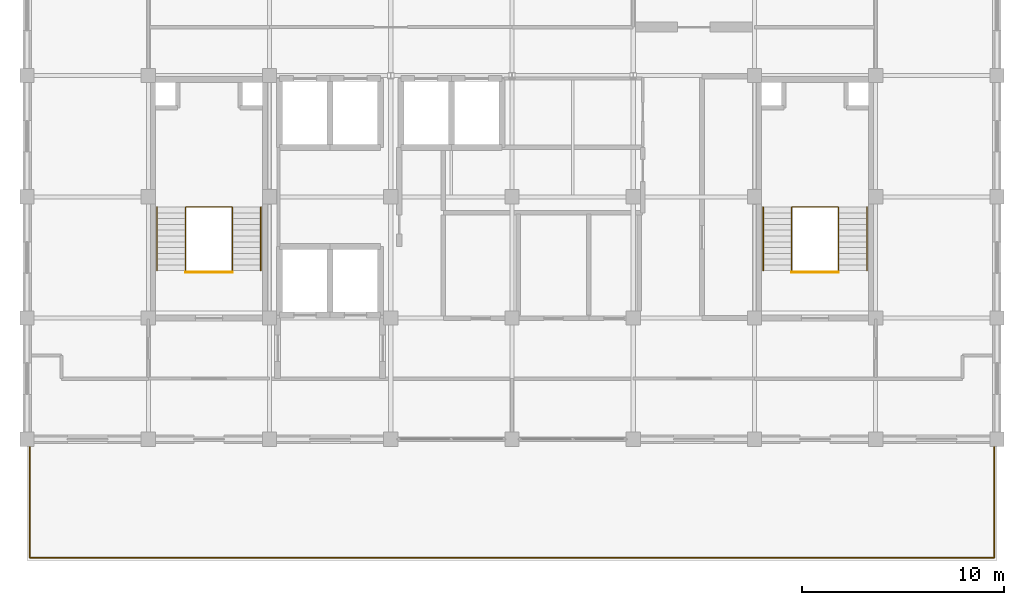
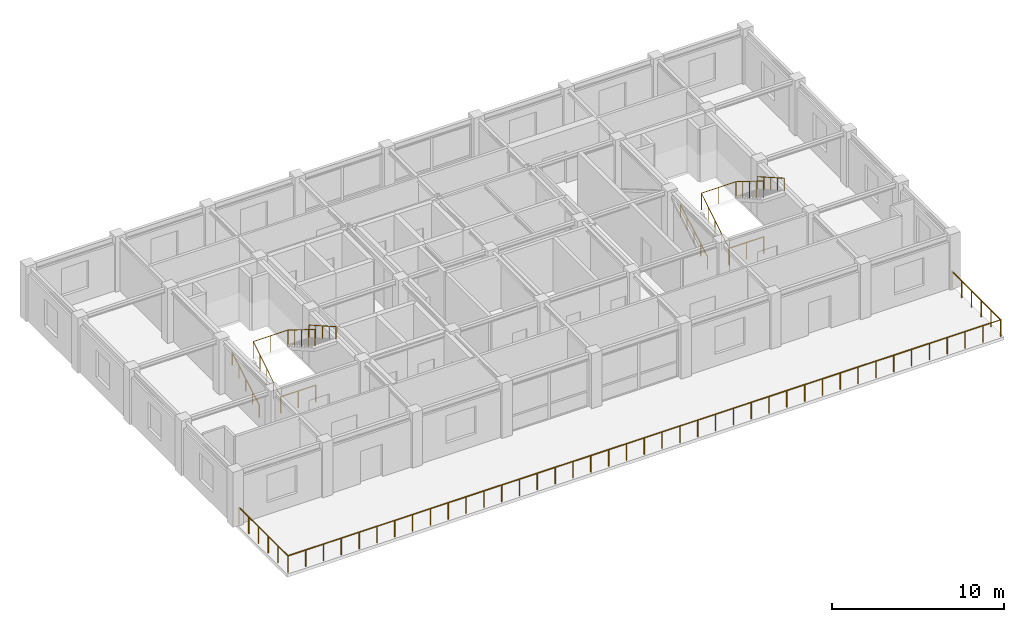
# One storey, part 11 of 11: 9 railings.
"""IFC4 building model written with IfcOpenShell, lengths in metres."""

from ifc_helpers import new_model, si_unit, direction, frame, origin, origin_2d, place, context, subcontext, project, spatial, circle, extrude, material, type_object, element, save


model = new_model("IFC4")

# Units and contexts
model_context = context("Model", 3, precision=1e-05, world=origin(), true_north=direction((0.0, 1.0)))
body_context = subcontext(model_context, "Body", "Model", "MODEL_VIEW")
ifc_project = project(units=[si_unit("LENGTHUNIT", "METRE"), si_unit("AREAUNIT", "SQUARE_METRE"), si_unit("VOLUMEUNIT", "CUBIC_METRE"), si_unit("PLANEANGLEUNIT", "RADIAN"), si_unit("MASSUNIT", "GRAM", prefix="KILO")], contexts=[model_context])

# Site, building, storey
site_placement = place(None, origin())
site = spatial("IfcSite", under=ifc_project, at=site_placement, CompositionType="ELEMENT")
building_placement = place(site_placement, origin())
building = spatial("IfcBuilding", under=site, at=building_placement, Name="Zlatovratsky Civic Hall", CompositionType="ELEMENT")
storey_placement = place(building_placement, frame((0.0, 0.0, 52.199951171875)))
storey = spatial("IfcBuildingStorey", under=building, at=storey_placement, Name="L13", CompositionType="ELEMENT", Elevation=52.199951171875)

# Railings
ifc_material_1 = material(Name="Brushed stainless steel AISI 304", Category="steel")
railing_type_1 = type_object("IfcRailingType", Name="Railing_Guardrail_1200", PredefinedType="GUARDRAIL", material=ifc_material_1)
railing_1_placement = place(storey_placement, frame((67.840087890625, 86.35009765625, 0.0)))
element("IfcRailing", 1, at=railing_1_placement, inside=storey, type_object=railing_type_1, Name="RL-0552", PredefinedType="GUARDRAIL", context=body_context, shape_type="SweptSolid", body=[
    extrude(circle(Radius=0.02392578125, at=origin_2d()), frame((0.0, 0.0, 1.17578125), z_axis=(0.0, 0.849144259976, 0.528160984692), x_axis=(-1.0, 0.0, 0.0)), (0.0, 0.0, 1.0), 3.69189453125),
    extrude(circle(Radius=0.02392578125, at=origin_2d()), frame((0.0, 3.135009765625, 3.1259765625), z_axis=(1.0, 0.0, 0.0), x_axis=(0.0, 1.0, 0.0)), (0.0, 0.0, 1.0), 2.31982421875),
    extrude(circle(Radius=0.02392578125, at=origin_2d()), frame((2.31982421875, 3.135009765625, 3.1259765625), z_axis=(0.0, -0.849114602454, 0.528208663219), x_axis=(1.0, 0.0, 0.0)), (0.0, 0.0, 1.0), 3.692138671875),
    extrude(circle(Radius=0.02099609375, at=origin_2d()), origin(), (0.0, 0.0, 1.0), 1.15185546875),
    extrude(circle(Radius=0.02099609375, at=origin_2d()), frame((0.0, 0.78369140625, 0.487548828125)), (0.0, 0.0, 1.0), 1.15185546875),
    extrude(circle(Radius=0.02099609375, at=origin_2d()), frame((0.0, 1.5673828125, 0.97509765625)), (0.0, 0.0, 1.0), 1.15185546875),
    extrude(circle(Radius=0.02099609375, at=origin_2d()), frame((0.0, 2.351318359375, 1.46240234375)), (0.0, 0.0, 1.0), 1.15185546875),
    extrude(circle(Radius=0.02099609375, at=origin_2d()), frame((0.0, 3.135009765625, 1.949951171875)), (0.0, 0.0, 1.0), 1.15185546875),
    extrude(circle(Radius=0.02099609375, at=origin_2d()), frame((1.159912109375, 3.135009765625, 1.949951171875)), (0.0, 0.0, 1.0), 1.15185546875),
    extrude(circle(Radius=0.02099609375, at=origin_2d()), frame((2.31982421875, 3.135009765625, 1.949951171875)), (0.0, 0.0, 1.0), 1.15185546875),
    extrude(circle(Radius=0.02099609375, at=origin_2d()), frame((2.31982421875, 2.351318359375, 2.4375)), (0.0, 0.0, 1.0), 1.15185546875),
    extrude(circle(Radius=0.02099609375, at=origin_2d()), frame((2.31982421875, 1.5673828125, 2.925048828125)), (0.0, 0.0, 1.0), 1.15185546875),
    extrude(circle(Radius=0.02099609375, at=origin_2d()), frame((2.31982421875, 0.78369140625, 3.41259765625)), (0.0, 0.0, 1.0), 1.15185546875),
    extrude(circle(Radius=0.02099609375, at=origin_2d()), frame((2.31982421875, 0.0, 3.900146484375)), (0.0, 0.0, 1.0), 1.15185546875),
])
railing_2_placement = place(storey_placement, frame((67.840087890625, 86.27001953125, 0.0)))
element("IfcRailing", 2, at=railing_2_placement, inside=storey, type_object=railing_type_1, Name="RL-0555", PredefinedType="GUARDRAIL", context=body_context, shape_type="SweptSolid", body=[
    extrude(circle(Radius=0.02392578125, at=origin_2d()), frame((0.0, 0.0, 1.17578125), z_axis=(1.0, 0.0, 0.0), x_axis=(0.0, 1.0, 0.0)), (0.0, 0.0, 1.0), 2.31982421875),
    extrude(circle(Radius=0.02099609375, at=origin_2d()), origin(), (0.0, 0.0, 1.0), 1.15185546875),
    extrude(circle(Radius=0.02099609375, at=origin_2d()), frame((1.159912109375, 0.0, 0.0)), (0.0, 0.0, 1.0), 1.15185546875),
    extrude(circle(Radius=0.02099609375, at=origin_2d()), frame((2.31982421875, 0.0, 0.0)), (0.0, 0.0, 1.0), 1.15185546875),
])
railing_3_placement = place(storey_placement, frame((97.840087890625, 86.35009765625, 0.0)))
element("IfcRailing", 3, at=railing_3_placement, inside=storey, type_object=railing_type_1, Name="RL-0628", PredefinedType="GUARDRAIL", context=body_context, shape_type="SweptSolid", body=[
    extrude(circle(Radius=0.02392578125, at=origin_2d()), frame((0.0, 0.0, 1.17578125), z_axis=(0.0, 0.849144259976, 0.528160984692), x_axis=(-1.0, 0.0, 0.0)), (0.0, 0.0, 1.0), 3.69189453125),
    extrude(circle(Radius=0.02392578125, at=origin_2d()), frame((0.0, 3.135009765625, 3.1259765625), z_axis=(1.0, 0.0, 0.0), x_axis=(0.0, 1.0, 0.0)), (0.0, 0.0, 1.0), 2.31982421875),
    extrude(circle(Radius=0.02392578125, at=origin_2d()), frame((2.31982421875, 3.135009765625, 3.1259765625), z_axis=(0.0, -0.849114602454, 0.528208663219), x_axis=(1.0, 0.0, 0.0)), (0.0, 0.0, 1.0), 3.692138671875),
    extrude(circle(Radius=0.02099609375, at=origin_2d()), origin(), (0.0, 0.0, 1.0), 1.15185546875),
    extrude(circle(Radius=0.02099609375, at=origin_2d()), frame((0.0, 0.78369140625, 0.487548828125)), (0.0, 0.0, 1.0), 1.15185546875),
    extrude(circle(Radius=0.02099609375, at=origin_2d()), frame((0.0, 1.5673828125, 0.97509765625)), (0.0, 0.0, 1.0), 1.15185546875),
    extrude(circle(Radius=0.02099609375, at=origin_2d()), frame((0.0, 2.351318359375, 1.46240234375)), (0.0, 0.0, 1.0), 1.15185546875),
    extrude(circle(Radius=0.02099609375, at=origin_2d()), frame((0.0, 3.135009765625, 1.949951171875)), (0.0, 0.0, 1.0), 1.15185546875),
    extrude(circle(Radius=0.02099609375, at=origin_2d()), frame((1.159912109375, 3.135009765625, 1.949951171875)), (0.0, 0.0, 1.0), 1.15185546875),
    extrude(circle(Radius=0.02099609375, at=origin_2d()), frame((2.31982421875, 3.135009765625, 1.949951171875)), (0.0, 0.0, 1.0), 1.15185546875),
    extrude(circle(Radius=0.02099609375, at=origin_2d()), frame((2.31982421875, 2.351318359375, 2.4375)), (0.0, 0.0, 1.0), 1.15185546875),
    extrude(circle(Radius=0.02099609375, at=origin_2d()), frame((2.31982421875, 1.5673828125, 2.925048828125)), (0.0, 0.0, 1.0), 1.15185546875),
    extrude(circle(Radius=0.02099609375, at=origin_2d()), frame((2.31982421875, 0.78369140625, 3.41259765625)), (0.0, 0.0, 1.0), 1.15185546875),
    extrude(circle(Radius=0.02099609375, at=origin_2d()), frame((2.31982421875, 0.0, 3.900146484375)), (0.0, 0.0, 1.0), 1.15185546875),
])
railing_4_placement = place(storey_placement, frame((97.840087890625, 86.27001953125, 0.0)))
element("IfcRailing", 4, at=railing_4_placement, inside=storey, type_object=railing_type_1, Name="RL-0631", PredefinedType="GUARDRAIL", context=body_context, shape_type="SweptSolid", body=[
    extrude(circle(Radius=0.02392578125, at=origin_2d()), frame((0.0, 0.0, 1.17578125), z_axis=(1.0, 0.0, 0.0), x_axis=(0.0, 1.0, 0.0)), (0.0, 0.0, 1.0), 2.31982421875),
    extrude(circle(Radius=0.02099609375, at=origin_2d()), origin(), (0.0, 0.0, 1.0), 1.15185546875),
    extrude(circle(Radius=0.02099609375, at=origin_2d()), frame((1.159912109375, 0.0, 0.0)), (0.0, 0.0, 1.0), 1.15185546875),
    extrude(circle(Radius=0.02099609375, at=origin_2d()), frame((2.31982421875, 0.0, 0.0)), (0.0, 0.0, 1.0), 1.15185546875),
])
railing_type_2 = type_object("IfcRailingType", Name="Railing_Handrail_900", PredefinedType="HANDRAIL", material=ifc_material_1)
railing_5_placement = place(storey_placement, frame((66.429931640625, 86.35009765625, 0.1630859375)))
element("IfcRailing", 5, at=railing_5_placement, inside=storey, type_object=railing_type_2, Name="RL-0553", PredefinedType="HANDRAIL", context=body_context, shape_type="SweptSolid", body=[
    extrude(circle(Radius=0.02392578125, at=origin_2d()), frame((0.0, 0.0, 0.8759765625), z_axis=(0.0, 0.868788039808, 0.495184149471), x_axis=(-1.0, 0.0, 0.0)), (0.0, 0.0, 1.0), 3.6083984375),
    extrude(circle(Radius=0.02099609375, at=origin_2d()), origin(), (0.0, 0.0, 1.0), 0.851806640625),
    extrude(circle(Radius=0.02099609375, at=origin_2d()), frame((0.0, 0.78369140625, 0.44677734375)), (0.0, 0.0, 1.0), 0.851806640625),
    extrude(circle(Radius=0.02099609375, at=origin_2d()), frame((0.0, 1.5673828125, 0.8935546875)), (0.0, 0.0, 1.0), 0.851806640625),
    extrude(circle(Radius=0.02099609375, at=origin_2d()), frame((0.0, 2.351318359375, 1.340087890625)), (0.0, 0.0, 1.0), 0.851806640625),
    extrude(circle(Radius=0.02099609375, at=origin_2d()), frame((0.0, 3.135009765625, 1.786865234375)), (0.0, 0.0, 1.0), 0.851806640625),
])
railing_6_placement = place(storey_placement, frame((71.570068359375, 89.485107421875, 2.112060546875)))
element("IfcRailing", 6, at=railing_6_placement, inside=storey, type_object=railing_type_2, Name="RL-0554", PredefinedType="HANDRAIL", context=body_context, shape_type="SweptSolid", body=[
    extrude(circle(Radius=0.02392578125, at=origin_2d()), frame((0.0, 0.0, 0.8759765625), z_axis=(0.0, -0.868642492313, 0.495439421673), x_axis=(1.0, 0.0, 0.0)), (0.0, 0.0, 1.0), 3.609130859375),
    extrude(circle(Radius=0.02099609375, at=origin_2d()), origin(), (0.0, 0.0, 1.0), 0.851806640625),
    extrude(circle(Radius=0.02099609375, at=origin_2d()), frame((0.0, -0.78369140625, 0.447021484375)), (0.0, 0.0, 1.0), 0.851806640625),
    extrude(circle(Radius=0.02099609375, at=origin_2d()), frame((0.0, -1.5673828125, 0.89404296875)), (0.0, 0.0, 1.0), 0.851806640625),
    extrude(circle(Radius=0.02099609375, at=origin_2d()), frame((0.0, -2.351318359375, 1.341064453125)), (0.0, 0.0, 1.0), 0.851806640625),
    extrude(circle(Radius=0.02099609375, at=origin_2d()), frame((0.0, -3.135009765625, 1.7880859375)), (0.0, 0.0, 1.0), 0.851806640625),
])
railing_7_placement = place(storey_placement, frame((96.429931640625, 86.35009765625, 0.1630859375)))
element("IfcRailing", 7, at=railing_7_placement, inside=storey, type_object=railing_type_2, Name="RL-0629", PredefinedType="HANDRAIL", context=body_context, shape_type="SweptSolid", body=[
    extrude(circle(Radius=0.02392578125, at=origin_2d()), frame((0.0, 0.0, 0.8759765625), z_axis=(0.0, 0.868788039808, 0.495184149471), x_axis=(-1.0, 0.0, 0.0)), (0.0, 0.0, 1.0), 3.6083984375),
    extrude(circle(Radius=0.02099609375, at=origin_2d()), origin(), (0.0, 0.0, 1.0), 0.851806640625),
    extrude(circle(Radius=0.02099609375, at=origin_2d()), frame((0.0, 0.78369140625, 0.44677734375)), (0.0, 0.0, 1.0), 0.851806640625),
    extrude(circle(Radius=0.02099609375, at=origin_2d()), frame((0.0, 1.5673828125, 0.8935546875)), (0.0, 0.0, 1.0), 0.851806640625),
    extrude(circle(Radius=0.02099609375, at=origin_2d()), frame((0.0, 2.351318359375, 1.340087890625)), (0.0, 0.0, 1.0), 0.851806640625),
    extrude(circle(Radius=0.02099609375, at=origin_2d()), frame((0.0, 3.135009765625, 1.786865234375)), (0.0, 0.0, 1.0), 0.851806640625),
])
railing_8_placement = place(storey_placement, frame((101.570068359375, 89.485107421875, 2.112060546875)))
element("IfcRailing", 8, at=railing_8_placement, inside=storey, type_object=railing_type_2, Name="RL-0630", PredefinedType="HANDRAIL", context=body_context, shape_type="SweptSolid", body=[
    extrude(circle(Radius=0.02392578125, at=origin_2d()), frame((0.0, 0.0, 0.8759765625), z_axis=(0.0, -0.868642492313, 0.495439421673), x_axis=(1.0, 0.0, 0.0)), (0.0, 0.0, 1.0), 3.609130859375),
    extrude(circle(Radius=0.02099609375, at=origin_2d()), origin(), (0.0, 0.0, 1.0), 0.851806640625),
    extrude(circle(Radius=0.02099609375, at=origin_2d()), frame((0.0, -0.78369140625, 0.447021484375)), (0.0, 0.0, 1.0), 0.851806640625),
    extrude(circle(Radius=0.02099609375, at=origin_2d()), frame((0.0, -1.5673828125, 0.89404296875)), (0.0, 0.0, 1.0), 0.851806640625),
    extrude(circle(Radius=0.02099609375, at=origin_2d()), frame((0.0, -2.351318359375, 1.341064453125)), (0.0, 0.0, 1.0), 0.851806640625),
    extrude(circle(Radius=0.02099609375, at=origin_2d()), frame((0.0, -3.135009765625, 1.7880859375)), (0.0, 0.0, 1.0), 0.851806640625),
])
ifc_material_2 = material(Name="Podolsk limestone ashlar", Category="masonry")
railing_type_3 = type_object("IfcRailingType", Name="Railing_StoneBalustrade_1200", PredefinedType="BALUSTRADE", material=ifc_material_2)
railing_9_placement = place(storey_placement, frame((60.139892578125, 77.800048828125, 0.0)))
element("IfcRailing", 9, at=railing_9_placement, inside=storey, type_object=railing_type_3, Name="RL-005", PredefinedType="BALUSTRADE", context=body_context, shape_type="SweptSolid", body=[
    extrude(circle(Radius=0.02392578125, at=origin_2d()), frame((0.0, 0.0, 1.17578125), z_axis=(0.0, -1.0, 0.0), x_axis=(1.0, 0.0, 0.0)), (0.0, 0.0, 1.0), 5.66015625),
    extrude(circle(Radius=0.02392578125, at=origin_2d()), frame((0.0, -5.66015625, 1.17578125), z_axis=(1.0, 0.0, 0.0), x_axis=(0.0, 1.0, 0.0)), (0.0, 0.0, 1.0), 47.72021484375),
    extrude(circle(Radius=0.02392578125, at=origin_2d()), frame((47.72021484375, -5.66015625, 1.17578125), z_axis=(0.0, 1.0, 0.0), x_axis=(-1.0, 0.0, 0.0)), (0.0, 0.0, 1.0), 5.66015625),
    extrude(circle(Radius=0.02099609375, at=origin_2d()), origin(), (0.0, 0.0, 1.0), 1.15185546875),
    extrude(circle(Radius=0.02099609375, at=origin_2d()), frame((0.0, -1.132080078125, 0.0)), (0.0, 0.0, 1.0), 1.15185546875),
    extrude(circle(Radius=0.02099609375, at=origin_2d()), frame((0.0, -2.26416015625, 0.0)), (0.0, 0.0, 1.0), 1.15185546875),
    extrude(circle(Radius=0.02099609375, at=origin_2d()), frame((0.0, -3.39599609375, 0.0)), (0.0, 0.0, 1.0), 1.15185546875),
    extrude(circle(Radius=0.02099609375, at=origin_2d()), frame((0.0, -4.528076171875, 0.0)), (0.0, 0.0, 1.0), 1.15185546875),
    extrude(circle(Radius=0.02099609375, at=origin_2d()), frame((0.0, -5.66015625, 0.0)), (0.0, 0.0, 1.0), 1.15185546875),
    extrude(circle(Radius=0.02099609375, at=origin_2d()), frame((1.193115234375, -5.66015625, 0.0)), (0.0, 0.0, 1.0), 1.15185546875),
    extrude(circle(Radius=0.02099609375, at=origin_2d()), frame((2.385986328125, -5.66015625, 0.0)), (0.0, 0.0, 1.0), 1.15185546875),
    extrude(circle(Radius=0.02099609375, at=origin_2d()), frame((3.5791015625, -5.66015625, 0.0)), (0.0, 0.0, 1.0), 1.15185546875),
    extrude(circle(Radius=0.02099609375, at=origin_2d()), frame((4.77197265625, -5.66015625, 0.0)), (0.0, 0.0, 1.0), 1.15185546875),
    extrude(circle(Radius=0.02099609375, at=origin_2d()), frame((5.965087890625, -5.66015625, 0.0)), (0.0, 0.0, 1.0), 1.15185546875),
    extrude(circle(Radius=0.02099609375, at=origin_2d()), frame((7.157958984375, -5.66015625, 0.0)), (0.0, 0.0, 1.0), 1.15185546875),
    extrude(circle(Radius=0.02099609375, at=origin_2d()), frame((8.35107421875, -5.66015625, 0.0)), (0.0, 0.0, 1.0), 1.15185546875),
    extrude(circle(Radius=0.02099609375, at=origin_2d()), frame((9.5439453125, -5.66015625, 0.0)), (0.0, 0.0, 1.0), 1.15185546875),
    extrude(circle(Radius=0.02099609375, at=origin_2d()), frame((10.737060546875, -5.66015625, 0.0)), (0.0, 0.0, 1.0), 1.15185546875),
    extrude(circle(Radius=0.02099609375, at=origin_2d()), frame((11.93017578125, -5.66015625, 0.0)), (0.0, 0.0, 1.0), 1.15185546875),
    extrude(circle(Radius=0.02099609375, at=origin_2d()), frame((13.123046875, -5.66015625, 0.0)), (0.0, 0.0, 1.0), 1.15185546875),
    extrude(circle(Radius=0.02099609375, at=origin_2d()), frame((14.316162109375, -5.66015625, 0.0)), (0.0, 0.0, 1.0), 1.15185546875),
    extrude(circle(Radius=0.02099609375, at=origin_2d()), frame((15.509033203125, -5.66015625, 0.0)), (0.0, 0.0, 1.0), 1.15185546875),
    extrude(circle(Radius=0.02099609375, at=origin_2d()), frame((16.7021484375, -5.66015625, 0.0)), (0.0, 0.0, 1.0), 1.15185546875),
    extrude(circle(Radius=0.02099609375, at=origin_2d()), frame((17.89501953125, -5.66015625, 0.0)), (0.0, 0.0, 1.0), 1.15185546875),
    extrude(circle(Radius=0.02099609375, at=origin_2d()), frame((19.088134765625, -5.66015625, 0.0)), (0.0, 0.0, 1.0), 1.15185546875),
    extrude(circle(Radius=0.02099609375, at=origin_2d()), frame((20.281005859375, -5.66015625, 0.0)), (0.0, 0.0, 1.0), 1.15185546875),
    extrude(circle(Radius=0.02099609375, at=origin_2d()), frame((21.47412109375, -5.66015625, 0.0)), (0.0, 0.0, 1.0), 1.15185546875),
    extrude(circle(Radius=0.02099609375, at=origin_2d()), frame((22.6669921875, -5.66015625, 0.0)), (0.0, 0.0, 1.0), 1.15185546875),
    extrude(circle(Radius=0.02099609375, at=origin_2d()), frame((23.860107421875, -5.66015625, 0.0)), (0.0, 0.0, 1.0), 1.15185546875),
    extrude(circle(Radius=0.02099609375, at=origin_2d()), frame((25.05322265625, -5.66015625, 0.0)), (0.0, 0.0, 1.0), 1.15185546875),
    extrude(circle(Radius=0.02099609375, at=origin_2d()), frame((26.24609375, -5.66015625, 0.0)), (0.0, 0.0, 1.0), 1.15185546875),
    extrude(circle(Radius=0.02099609375, at=origin_2d()), frame((27.439208984375, -5.66015625, 0.0)), (0.0, 0.0, 1.0), 1.15185546875),
    extrude(circle(Radius=0.02099609375, at=origin_2d()), frame((28.632080078125, -5.66015625, 0.0)), (0.0, 0.0, 1.0), 1.15185546875),
    extrude(circle(Radius=0.02099609375, at=origin_2d()), frame((29.8251953125, -5.66015625, 0.0)), (0.0, 0.0, 1.0), 1.15185546875),
    extrude(circle(Radius=0.02099609375, at=origin_2d()), frame((31.01806640625, -5.66015625, 0.0)), (0.0, 0.0, 1.0), 1.15185546875),
    extrude(circle(Radius=0.02099609375, at=origin_2d()), frame((32.211181640625, -5.66015625, 0.0)), (0.0, 0.0, 1.0), 1.15185546875),
    extrude(circle(Radius=0.02099609375, at=origin_2d()), frame((33.404052734375, -5.66015625, 0.0)), (0.0, 0.0, 1.0), 1.15185546875),
    extrude(circle(Radius=0.02099609375, at=origin_2d()), frame((34.59716796875, -5.66015625, 0.0)), (0.0, 0.0, 1.0), 1.15185546875),
    extrude(circle(Radius=0.02099609375, at=origin_2d()), frame((35.7900390625, -5.66015625, 0.0)), (0.0, 0.0, 1.0), 1.15185546875),
    extrude(circle(Radius=0.02099609375, at=origin_2d()), frame((36.983154296875, -5.66015625, 0.0)), (0.0, 0.0, 1.0), 1.15185546875),
    extrude(circle(Radius=0.02099609375, at=origin_2d()), frame((38.17626953125, -5.66015625, 0.0)), (0.0, 0.0, 1.0), 1.15185546875),
    extrude(circle(Radius=0.02099609375, at=origin_2d()), frame((39.369140625, -5.66015625, 0.0)), (0.0, 0.0, 1.0), 1.15185546875),
    extrude(circle(Radius=0.02099609375, at=origin_2d()), frame((40.562255859375, -5.66015625, 0.0)), (0.0, 0.0, 1.0), 1.15185546875),
    extrude(circle(Radius=0.02099609375, at=origin_2d()), frame((41.755126953125, -5.66015625, 0.0)), (0.0, 0.0, 1.0), 1.15185546875),
    extrude(circle(Radius=0.02099609375, at=origin_2d()), frame((42.9482421875, -5.66015625, 0.0)), (0.0, 0.0, 1.0), 1.15185546875),
    extrude(circle(Radius=0.02099609375, at=origin_2d()), frame((44.14111328125, -5.66015625, 0.0)), (0.0, 0.0, 1.0), 1.15185546875),
    extrude(circle(Radius=0.02099609375, at=origin_2d()), frame((45.334228515625, -5.66015625, 0.0)), (0.0, 0.0, 1.0), 1.15185546875),
    extrude(circle(Radius=0.02099609375, at=origin_2d()), frame((46.527099609375, -5.66015625, 0.0)), (0.0, 0.0, 1.0), 1.15185546875),
    extrude(circle(Radius=0.02099609375, at=origin_2d()), frame((47.72021484375, -5.66015625, 0.0)), (0.0, 0.0, 1.0), 1.15185546875),
    extrude(circle(Radius=0.02099609375, at=origin_2d()), frame((47.72021484375, -4.528076171875, 0.0)), (0.0, 0.0, 1.0), 1.15185546875),
    extrude(circle(Radius=0.02099609375, at=origin_2d()), frame((47.72021484375, -3.39599609375, 0.0)), (0.0, 0.0, 1.0), 1.15185546875),
    extrude(circle(Radius=0.02099609375, at=origin_2d()), frame((47.72021484375, -2.26416015625, 0.0)), (0.0, 0.0, 1.0), 1.15185546875),
    extrude(circle(Radius=0.02099609375, at=origin_2d()), frame((47.72021484375, -1.132080078125, 0.0)), (0.0, 0.0, 1.0), 1.15185546875),
    extrude(circle(Radius=0.02099609375, at=origin_2d()), frame((47.72021484375, 0.0, 0.0)), (0.0, 0.0, 1.0), 1.15185546875),
])

save(model, "model.ifc")
